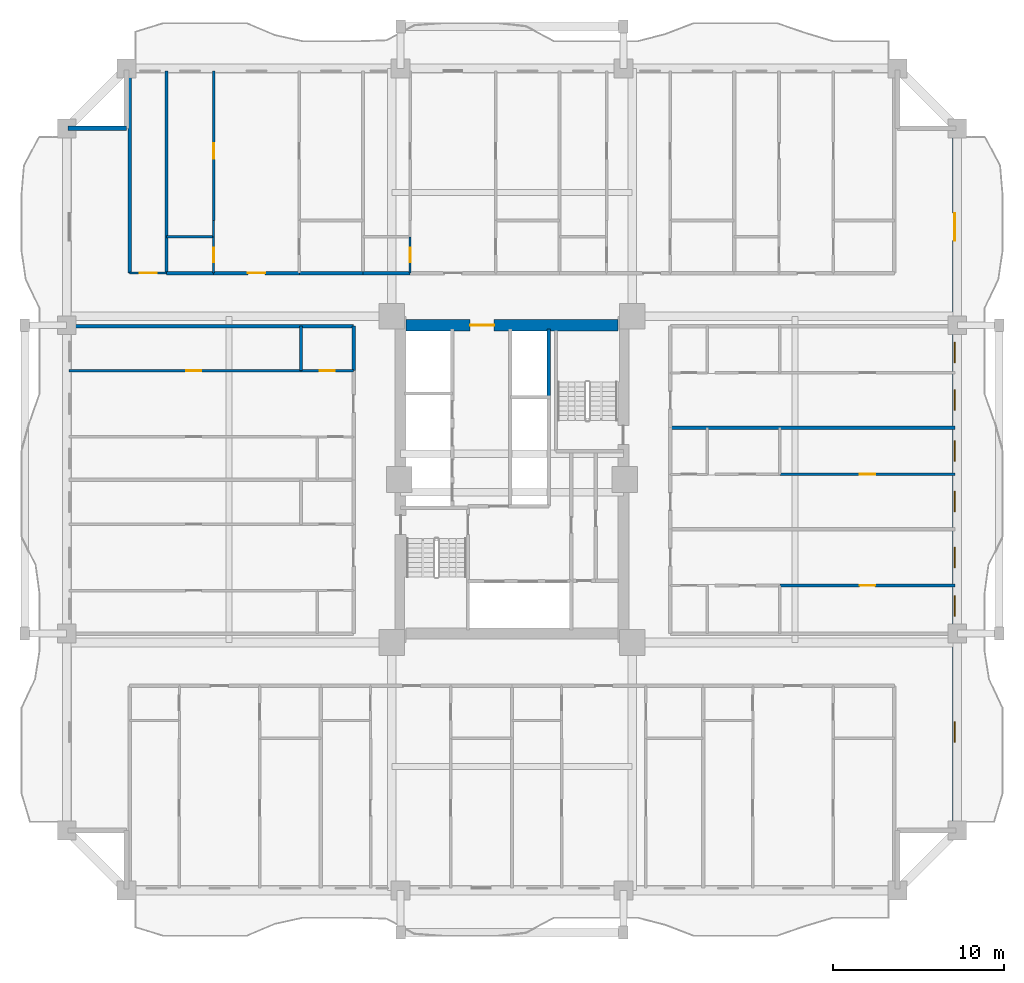
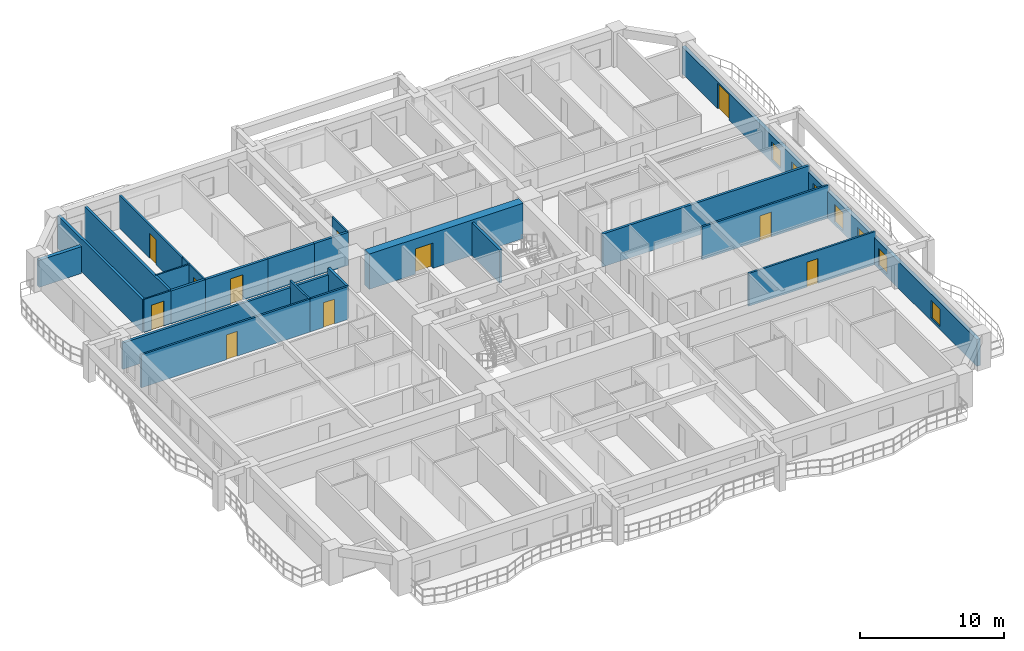
# One storey, part 6 of 18: 24 walls, 11 doors, 7 windows, 18 openings.
"""IFC4 building model written with IfcOpenShell, lengths in metres."""

import ifcopenshell
import ifcopenshell.guid

model = None  # the IFC model being written
_history = None  # IfcOwnerHistory: only IFC2X3 demands one
_inside = {}  # id of a spatial element -> (the spatial element, [elements in it])
_under = {}  # id of a project, library or spatial element -> (it, [spatial elements below it])
_declared = {}  # id of a project -> (the project, [libraries it declares])
_typed = {}  # id of a type object -> (the type object, [elements of that type])
_made_of = {}  # id of a material, layer set ... -> (it, [elements and type objects made of it])


def new_model(schema):
    """Start an empty IFC model of exactly this schema.

    Asked for "IFC4X3", IfcOpenShell would pick the latest addendum, in which some entities
    have other attributes; the version numbers below select the first issue.
    IFC2X3 requires an IfcOwnerHistory on every rooted entity: one is made here for all.
    """
    global model, _history
    if schema == "IFC4X3":
        model = ifcopenshell.file(schema_version=(4, 3, 0, 0))
    else:
        model = ifcopenshell.file(schema=schema)
    _inside.clear()
    _under.clear()
    _declared.clear()
    _typed.clear()
    _made_of.clear()
    _history = None
    if model.schema == "IFC2X3":
        org = make("IfcOrganization", Name="unknown")
        user = make(
            "IfcPersonAndOrganization",
            ThePerson=make("IfcPerson", FamilyName="unknown"),
            TheOrganization=org,
        )
        app = make(
            "IfcApplication",
            ApplicationDeveloper=org,
            Version="unknown",
            ApplicationFullName="unknown",
            ApplicationIdentifier="unknown",
        )
        _history = make(
            "IfcOwnerHistory",
            OwningUser=user,
            OwningApplication=app,
            ChangeAction="ADDED",
            CreationDate=0,
        )
    return model


def make(cls, **values):
    """One entity of the class cls with the attributes given. An attribute that is None is left unset."""
    return model.create_entity(
        cls, **{name: value for name, value in values.items() if value is not None}
    )


def rooted(cls, **values):
    """An entity with a GlobalId (a new one), such as an element, a storey or a relation."""
    return make(cls, GlobalId=ifcopenshell.guid.new(), OwnerHistory=_history, **values)


def si_unit(unit_type, name, prefix=None):
    """IfcSIUnit, for example si_unit("LENGTHUNIT", "METRE", prefix="MILLI")."""
    return make("IfcSIUnit", UnitType=unit_type, Prefix=prefix, Name=name)


def assignment(units):
    """IfcUnitAssignment: the units of a project."""
    return None if units is None else make("IfcUnitAssignment", Units=units)


def point(xyz):
    """IfcCartesianPoint."""
    return None if xyz is None else make("IfcCartesianPoint", Coordinates=xyz)


def direction(xyz):
    """IfcDirection."""
    return None if xyz is None else make("IfcDirection", DirectionRatios=xyz)


def frame(location, z_axis=None, x_axis=None):
    """IfcAxis2Placement3D, a coordinate frame: its origin and axes. An axis left out is left unset."""
    return make(
        "IfcAxis2Placement3D",
        Location=point(location),
        Axis=direction(z_axis),
        RefDirection=direction(x_axis),
    )


def frame_2d(location, x_axis=None):
    """IfcAxis2Placement2D, a coordinate frame in the plane: its origin and x axis."""
    return make(
        "IfcAxis2Placement2D", Location=point(location), RefDirection=direction(x_axis)
    )


def origin():
    """The frame at (0, 0, 0) with its axes left unset."""
    return frame((0.0, 0.0, 0.0))


def place(relative_to, where):
    """IfcLocalPlacement: puts the frame where relative to a parent placement (None: the world)."""
    return make(
        "IfcLocalPlacement", PlacementRelTo=relative_to, RelativePlacement=where
    )


def context(
    kind, dimensions, precision=None, world=None, true_north=None, identifier=None
):
    """IfcGeometricRepresentationContext, for example the 3D "Model" context."""
    return make(
        "IfcGeometricRepresentationContext",
        ContextIdentifier=identifier,
        ContextType=kind,
        CoordinateSpaceDimension=dimensions,
        Precision=precision,
        WorldCoordinateSystem=world,
        TrueNorth=true_north,
    )


def subcontext(parent, identifier, kind, view, scale=None):
    """IfcGeometricRepresentationSubContext, for example "Body" below "Model"."""
    return make(
        "IfcGeometricRepresentationSubContext",
        ContextIdentifier=identifier,
        ContextType=kind,
        ParentContext=parent,
        TargetScale=scale,
        TargetView=view,
    )


def project(units=None, contexts=None):
    """IfcProject with its units and contexts."""
    return rooted(
        "IfcProject",
        Name="project",
        RepresentationContexts=contexts,
        UnitsInContext=assignment(units),
    )


def spatial(cls, under=None, at=None, **own):
    """A site, building, storey or space (cls), placed at a placement, below another one or the project."""
    s = rooted(cls, ObjectPlacement=at, **own)
    if under is not None:
        _under.setdefault(under.id(), (under, []))[1].append(s)
    return s


def profile(cls, at=None, kind="AREA", **sizes):
    """A parametric profile (cls). Its sizes go by their IFC names, for example OverallWidth=200.0."""
    return make(cls, ProfileType=kind, Position=at, **sizes)


def rectangle(**sizes):
    """IfcRectangleProfileDef."""
    return profile("IfcRectangleProfileDef", **sizes)


def extrude(swept, where, along, depth):
    """IfcExtrudedAreaSolid: the profile swept, set in the frame where, extruded along a direction by depth."""
    return make(
        "IfcExtrudedAreaSolid",
        SweptArea=swept,
        Position=where,
        ExtrudedDirection=direction(along),
        Depth=depth,
    )


def shape(context_of_items, identifier, shape_type, items):
    """IfcShapeRepresentation: the items that make up one representation, for example the "Body"."""
    return make(
        "IfcShapeRepresentation",
        ContextOfItems=context_of_items,
        RepresentationIdentifier=identifier,
        RepresentationType=shape_type,
        Items=items,
    )


def source(mapping_origin, context_of_items, identifier, shape_type, items):
    """IfcRepresentationMap: a shape defined once, which mapped items show again and again."""
    return make(
        "IfcRepresentationMap",
        MappingOrigin=mapping_origin,
        MappedRepresentation=shape(context_of_items, identifier, shape_type, items),
    )


def transform(
    local_origin,
    x_axis=None,
    y_axis=None,
    z_axis=None,
    scale=None,
    scale2=None,
    scale3=None,
    uniform=True,
):
    """IfcCartesianTransformationOperator3D, or its non-uniform kind. x_axis, y_axis, z_axis: its Axis1, 2, 3."""
    if uniform:
        return make(
            "IfcCartesianTransformationOperator3D",
            Axis1=direction(x_axis),
            Axis2=direction(y_axis),
            LocalOrigin=point(local_origin),
            Scale=scale,
            Axis3=direction(z_axis),
        )
    return make(
        "IfcCartesianTransformationOperator3DnonUniform",
        Axis1=direction(x_axis),
        Axis2=direction(y_axis),
        LocalOrigin=point(local_origin),
        Scale=scale,
        Axis3=direction(z_axis),
        Scale2=scale2,
        Scale3=scale3,
    )


def mapped(mapping_source, mapping_target):
    """IfcMappedItem: shows the shape of a source again, moved by a transform."""
    return make(
        "IfcMappedItem", MappingSource=mapping_source, MappingTarget=mapping_target
    )


def material(Name=None, Category=None):
    """IfcMaterial."""
    return make("IfcMaterial", Name=Name, Category=Category)


def layer(
    of_material, thickness, ventilated=None, Name=None, Category=None, Priority=None
):
    """IfcMaterialLayer: one layer of a wall or slab, of a material (None: an air gap)."""
    return make(
        "IfcMaterialLayer",
        Material=of_material,
        LayerThickness=thickness,
        IsVentilated=ventilated,
        Name=Name,
        Category=Category,
        Priority=Priority,
    )


def layer_set(layers, Name=None):
    """IfcMaterialLayerSet."""
    return make("IfcMaterialLayerSet", MaterialLayers=layers, LayerSetName=Name)


def made_of(thing, what):
    """Note that an element or type object is made of a material, layer set ...; save() writes the relation."""
    if what is not None:
        _made_of.setdefault(what.id(), (what, []))[1].append(thing)
    return thing


def type_object(cls, material=None, **own):
    """A type object (cls), such as IfcWallType, which elements share."""
    return made_of(rooted(cls, **own), material)


def element(
    cls,
    number,
    at=None,
    inside=None,
    cuts=None,
    type_object=None,
    material=None,
    context=None,
    identifier="Body",
    shape_type=None,
    held_by="IfcProductDefinitionShape",
    body=None,
    shapes=None,
    **own,
):
    """One element of the class cls, such as IfcWall. Its Tag is "e" and its number.

    at: its placement. inside: the storey or other place that contains it. cuts: it is an
    opening in that element (IfcRelVoidsElement). A single representation is given by context,
    identifier, shape_type and body (its items); several are given by shapes. held_by: the class
    of the entity that holds the representations. save() writes the other relations.
    """
    e = rooted(cls, Tag="e%d" % number, ObjectPlacement=at, **own)
    if body is not None:
        shapes = [shape(context, identifier, shape_type, body)]
    if shapes is not None:
        e.Representation = make(held_by, Representations=shapes)
    if inside is not None:
        _inside.setdefault(inside.id(), (inside, []))[1].append(e)
    if cuts is not None:
        rooted(
            "IfcRelVoidsElement", RelatingBuildingElement=cuts, RelatedOpeningElement=e
        )
    if type_object is not None:
        _typed.setdefault(type_object.id(), (type_object, []))[1].append(e)
    return made_of(e, material)


def fill(opening, filler):
    """IfcRelFillsElement: the door or window that sits in an opening."""
    return rooted(
        "IfcRelFillsElement",
        RelatingOpeningElement=opening,
        RelatedBuildingElement=filler,
    )


def aggregate(whole, parts):
    """IfcRelAggregates: a whole, such as a stair, and the parts it consists of."""
    return rooted("IfcRelAggregates", RelatingObject=whole, RelatedObjects=parts)


def save(model, path):
    """Write the relations noted so far, then the file.

    IfcRelAggregates (storeys below a building ...), IfcRelContainedInSpatialStructure (elements
    in a storey), IfcRelDefinesByType, IfcRelAssociatesMaterial and IfcRelDeclares: one each for
    every whole, place, type object, material and project.
    """
    for whole, parts in _under.values():
        aggregate(whole, parts)
    for where, things in _inside.values():
        rooted(
            "IfcRelContainedInSpatialStructure",
            RelatedElements=things,
            RelatingStructure=where,
        )
    for kind, things in _typed.values():
        rooted("IfcRelDefinesByType", RelatedObjects=things, RelatingType=kind)
    for what, things in _made_of.values():
        rooted("IfcRelAssociatesMaterial", RelatedObjects=things, RelatingMaterial=what)
    for by, libraries in _declared.values():
        rooted("IfcRelDeclares", RelatingContext=by, RelatedDefinitions=libraries)
    model.write(path)


model = new_model("IFC4")

# Units and contexts
model_context = context("Model", 3, precision=1e-05, world=origin(), true_north=direction((0.0, 1.0)))
body_context = subcontext(model_context, "Body", "Model", "MODEL_VIEW")
ifc_project = project(units=[si_unit("LENGTHUNIT", "METRE"), si_unit("AREAUNIT", "SQUARE_METRE"), si_unit("VOLUMEUNIT", "CUBIC_METRE"), si_unit("PLANEANGLEUNIT", "RADIAN"), si_unit("MASSUNIT", "GRAM", prefix="KILO")], contexts=[model_context])

# Site, building, storey
site_placement = place(None, origin())
site = spatial("IfcSite", under=ifc_project, at=site_placement, CompositionType="ELEMENT")
building_placement = place(site_placement, origin())
building = spatial("IfcBuilding", under=site, at=building_placement, Name="Saelheon Loggia Tower", CompositionType="ELEMENT")
storey_placement = place(building_placement, frame((0.0, 0.0, 40.39990234375)))
storey = spatial("IfcBuildingStorey", under=building, at=storey_placement, Name="L12", CompositionType="ELEMENT", Elevation=40.39990234375)

# Wall, opening, door
ifc_material_1 = material(Name="Concrete C60/75", Category="concrete")
ifc_layer_1 = layer(ifc_material_1, 0.64990234375)
ifc_layer_set_1 = layer_set([ifc_layer_1], Name="Concrete C60/75")
wall_type_1 = type_object("IfcWallType", Name="Wall_CoreShear_650", PredefinedType="SHEAR", material=ifc_layer_set_1)
wall_1_placement = place(storey_placement, frame((31.824951171875, 36.0, 0.0), z_axis=(0.0, 0.0, 1.0), x_axis=(1.0, 0.0, 0.0)))
wall_1 = element("IfcWall", 1, at=wall_1_placement, inside=storey, type_object=wall_type_1, Name="L12 Core Shear Wall North", PredefinedType="SHEAR", context=body_context, shape_type="SweptSolid", body=[
    extrude(rectangle(XDim=12.35009765625, YDim=0.64990234375, at=frame_2d((6.175048828125, 0.0))), origin(), (0.0, 0.0, 1.0), 3.0),
])
opening_1_placement = place(wall_1_placement, frame((5.125, 0.0, 0.0), z_axis=(0.0, 0.0, 1.0), x_axis=(-1.0, 0.0, 0.0)))
opening_1 = element("IfcOpeningElement", 2, at=opening_1_placement, cuts=wall_1, Name="Opening D-FD2L", PredefinedType="OPENING", context=body_context, shape_type="SweptSolid", body=[
    extrude(rectangle(XDim=1.39990234375, YDim=2.14990234375, at=frame_2d((0.699951171875, 1.074951171875))), frame((0.0, 0.3369140625, 0.0), z_axis=(0.0, -1.0, 0.0), x_axis=(1.0, 0.0, 0.0)), (0.0, 0.0, 1.0), 0.673828125),
])
ifc_material_2 = material(Name="Galvanised Steel Glazed Lobby Fire Door", Category="steel")
door_type_1 = type_object("IfcDoorType", Name="Door_Fire_FD60_1400", OperationType="NOTDEFINED", PredefinedType="DOOR", material=ifc_material_2)
shared_shape_1 = source(origin(), body_context, "Body", "SweptSolid", [
    extrude(rectangle(XDim=1.39990234375, YDim=2.14990234375, at=frame_2d((0.699951171875, 1.074951171875))), frame((0.0, 0.02490234375, 0.0), z_axis=(0.0, -1.0, 0.0), x_axis=(1.0, 0.0, 0.0)), (0.0, 0.0, 1.0), 0.050048828125),
])
door_1_placement = place(opening_1_placement, origin())
door_1 = element("IfcDoor", 3, at=door_1_placement, inside=storey, type_object=door_type_1, Name="L12 Passenger Lift Lobby Main Door", OperationType="SINGLE_SWING_RIGHT", OverallHeight=2.14990234375, OverallWidth=1.39990234375, PredefinedType="DOOR", context=body_context, shape_type="MappedRepresentation", body=[
    mapped(shared_shape_1, transform((0.0, 0.0, 0.0), scale=1.0)),
])
fill(opening_1, door_1)

# Wall, openings, windows, door
ifc_material_3 = material(Name="Architectural Precast Concrete C40/50", Category="concrete")
ifc_layer_2 = layer(ifc_material_3, 0.280029296875)
ifc_layer_set_2 = layer_set([ifc_layer_2], Name="Architectural Precast Concrete C40/50")
wall_type_2 = type_object("IfcWallType", Name="Wall_Ext_Loggia_280", PredefinedType="SOLIDWALL", material=ifc_layer_set_2)
wall_2_placement = place(storey_placement, frame((63.860107421875, 6.5, 0.0), z_axis=(0.0, 0.0, 1.0), x_axis=(0.0, 1.0, 0.0)))
wall_2 = element("IfcWall", 4, at=wall_2_placement, inside=storey, type_object=wall_type_2, Name="L12 East Loggia Inner Wall", PredefinedType="SOLIDWALL", context=body_context, shape_type="SweptSolid", body=[
    extrude(rectangle(XDim=41.0, YDim=0.280029296875, at=frame_2d((20.5, 0.0))), origin(), (0.0, 0.0, 1.0), 2.280029296875),
])
opening_2_placement = place(wall_2_placement, frame((5.14990234375, 0.0, 0.25)))
opening_2 = element("IfcOpeningElement", 5, at=opening_2_placement, cuts=wall_2, Name="Opening WN-03", PredefinedType="OPENING", context=body_context, shape_type="SweptSolid", body=[
    extrude(rectangle(XDim=1.199951171875, YDim=1.5, at=frame_2d((0.60009765625, 0.75))), frame((0.0, 0.152099609375, 0.0), z_axis=(0.0, -1.0, 0.0), x_axis=(1.0, 0.0, 0.0)), (0.0, 0.0, 1.0), 0.303955078125),
])
opening_3_placement = place(wall_2_placement, frame((12.498779296875, 0.0, 0.25)))
opening_3 = element("IfcOpeningElement", 6, at=opening_3_placement, cuts=wall_2, Name="Opening WN-03", PredefinedType="OPENING", context=body_context, shape_type="SweptSolid", body=[
    extrude(rectangle(XDim=1.199951171875, YDim=1.5, at=frame_2d((0.60009765625, 0.75))), frame((0.0, 0.152099609375, 0.0), z_axis=(0.0, -1.0, 0.0), x_axis=(1.0, 0.0, 0.0)), (0.0, 0.0, 1.0), 0.303955078125),
])
opening_4_placement = place(wall_2_placement, frame((15.355224609375, 0.0, 0.25)))
opening_4 = element("IfcOpeningElement", 7, at=opening_4_placement, cuts=wall_2, Name="Opening WN-03", PredefinedType="OPENING", context=body_context, shape_type="SweptSolid", body=[
    extrude(rectangle(XDim=1.199951171875, YDim=1.5, at=frame_2d((0.60009765625, 0.75))), frame((0.0, 0.152099609375, 0.0), z_axis=(0.0, -1.0, 0.0), x_axis=(1.0, 0.0, 0.0)), (0.0, 0.0, 1.0), 0.303955078125),
])
opening_5_placement = place(wall_2_placement, frame((18.602294921875, 0.0, 0.25)))
opening_5 = element("IfcOpeningElement", 8, at=opening_5_placement, cuts=wall_2, Name="Opening WN-03", PredefinedType="OPENING", context=body_context, shape_type="SweptSolid", body=[
    extrude(rectangle(XDim=1.199951171875, YDim=1.5, at=frame_2d((0.60009765625, 0.75))), frame((0.0, 0.152099609375, 0.0), z_axis=(0.0, -1.0, 0.0), x_axis=(1.0, 0.0, 0.0)), (0.0, 0.0, 1.0), 0.303955078125),
])
opening_6_placement = place(wall_2_placement, frame((21.564208984375, 0.0, 0.25)))
opening_6 = element("IfcOpeningElement", 9, at=opening_6_placement, cuts=wall_2, Name="Opening WN-03", PredefinedType="OPENING", context=body_context, shape_type="SweptSolid", body=[
    extrude(rectangle(XDim=1.199951171875, YDim=1.5, at=frame_2d((0.60009765625, 0.75))), frame((0.0, 0.152099609375, 0.0), z_axis=(0.0, -1.0, 0.0), x_axis=(1.0, 0.0, 0.0)), (0.0, 0.0, 1.0), 0.303955078125),
])
opening_7_placement = place(wall_2_placement, frame((24.52587890625, 0.0, 0.25)))
opening_7 = element("IfcOpeningElement", 10, at=opening_7_placement, cuts=wall_2, Name="Opening WN-03", PredefinedType="OPENING", context=body_context, shape_type="SweptSolid", body=[
    extrude(rectangle(XDim=1.199951171875, YDim=1.5, at=frame_2d((0.60009765625, 0.75))), frame((0.0, 0.152099609375, 0.0), z_axis=(0.0, -1.0, 0.0), x_axis=(1.0, 0.0, 0.0)), (0.0, 0.0, 1.0), 0.303955078125),
])
opening_8_placement = place(wall_2_placement, frame((27.317626953125, 0.0, 0.25)))
opening_8 = element("IfcOpeningElement", 11, at=opening_8_placement, cuts=wall_2, Name="Opening WN-03", PredefinedType="OPENING", context=body_context, shape_type="SweptSolid", body=[
    extrude(rectangle(XDim=1.199951171875, YDim=1.5, at=frame_2d((0.60009765625, 0.75))), frame((0.0, 0.152099609375, 0.0), z_axis=(0.0, -1.0, 0.0), x_axis=(1.0, 0.0, 0.0)), (0.0, 0.0, 1.0), 0.303955078125),
])
opening_9_placement = place(wall_2_placement, frame((36.050048828125, 0.0, 0.0), z_axis=(0.0, 0.0, 1.0), x_axis=(-1.0, 0.0, 0.0)))
opening_9 = element("IfcOpeningElement", 12, at=opening_9_placement, cuts=wall_2, Name="Opening DLG-1", PredefinedType="OPENING", context=body_context, shape_type="SweptSolid", body=[
    extrude(rectangle(XDim=1.60009765625, YDim=2.14990234375, at=frame_2d((0.800048828125, 1.074951171875))), frame((0.0, 0.152099609375, 0.0), z_axis=(0.0, -1.0, 0.0), x_axis=(1.0, 0.0, 0.0)), (0.0, 0.0, 1.0), 0.303955078125),
])
ifc_material_4 = material(Name="Thermal-Break Aluminium and Triple Low-E Glass", Category="aluminium")
window_type = type_object("IfcWindowType", Name="Win_Bedroom_1200x1500", PartitioningType="SINGLE_PANEL", PredefinedType="WINDOW", material=ifc_material_4)
shared_shape_2 = source(origin(), body_context, "Body", "SweptSolid", [
    extrude(rectangle(XDim=1.199951171875, YDim=1.5, at=frame_2d((0.60009765625, 0.75))), frame((0.0, 0.030029296875, 0.0), z_axis=(0.0, -1.0, 0.0), x_axis=(1.0, 0.0, 0.0)), (0.0, 0.0, 1.0), 0.06005859375),
])
window_1_placement = place(opening_2_placement, origin())
window_1 = element("IfcWindow", 13, at=window_1_placement, inside=storey, type_object=window_type, Name="L12 E Dwelling Window 1", OverallHeight=1.5, OverallWidth=1.199951171875, PartitioningType="SINGLE_PANEL", PredefinedType="WINDOW", context=body_context, shape_type="MappedRepresentation", body=[
    mapped(shared_shape_2, transform((0.0, 0.0, 0.0), scale=1.0)),
])
fill(opening_2, window_1)
window_2_placement = place(opening_3_placement, origin())
window_2 = element("IfcWindow", 14, at=window_2_placement, inside=storey, type_object=window_type, Name="L12 E Dwelling Window 2", OverallHeight=1.5, OverallWidth=1.199951171875, PartitioningType="SINGLE_PANEL", PredefinedType="WINDOW", context=body_context, shape_type="MappedRepresentation", body=[
    mapped(shared_shape_2, transform((0.0, 0.0, 0.0), scale=1.0)),
])
fill(opening_3, window_2)
window_3_placement = place(opening_4_placement, origin())
window_3 = element("IfcWindow", 15, at=window_3_placement, inside=storey, type_object=window_type, Name="L12 E Dwelling Window 3", OverallHeight=1.5, OverallWidth=1.199951171875, PartitioningType="SINGLE_PANEL", PredefinedType="WINDOW", context=body_context, shape_type="MappedRepresentation", body=[
    mapped(shared_shape_2, transform((0.0, 0.0, 0.0), scale=1.0)),
])
fill(opening_4, window_3)
window_4_placement = place(opening_5_placement, origin())
window_4 = element("IfcWindow", 16, at=window_4_placement, inside=storey, type_object=window_type, Name="L12 E Dwelling Window 4", OverallHeight=1.5, OverallWidth=1.199951171875, PartitioningType="SINGLE_PANEL", PredefinedType="WINDOW", context=body_context, shape_type="MappedRepresentation", body=[
    mapped(shared_shape_2, transform((0.0, 0.0, 0.0), scale=1.0)),
])
fill(opening_5, window_4)
window_5_placement = place(opening_6_placement, origin())
window_5 = element("IfcWindow", 17, at=window_5_placement, inside=storey, type_object=window_type, Name="L12 E Dwelling Window 5", OverallHeight=1.5, OverallWidth=1.199951171875, PartitioningType="SINGLE_PANEL", PredefinedType="WINDOW", context=body_context, shape_type="MappedRepresentation", body=[
    mapped(shared_shape_2, transform((0.0, 0.0, 0.0), scale=1.0)),
])
fill(opening_6, window_5)
window_6_placement = place(opening_7_placement, origin())
window_6 = element("IfcWindow", 18, at=window_6_placement, inside=storey, type_object=window_type, Name="L12 E Dwelling Window 6", OverallHeight=1.5, OverallWidth=1.199951171875, PartitioningType="SINGLE_PANEL", PredefinedType="WINDOW", context=body_context, shape_type="MappedRepresentation", body=[
    mapped(shared_shape_2, transform((0.0, 0.0, 0.0), scale=1.0)),
])
fill(opening_7, window_6)
window_7_placement = place(opening_8_placement, origin())
window_7 = element("IfcWindow", 19, at=window_7_placement, inside=storey, type_object=window_type, Name="L12 E Dwelling Window 7", OverallHeight=1.5, OverallWidth=1.199951171875, PartitioningType="SINGLE_PANEL", PredefinedType="WINDOW", context=body_context, shape_type="MappedRepresentation", body=[
    mapped(shared_shape_2, transform((0.0, 0.0, 0.0), scale=1.0)),
])
fill(opening_8, window_7)
ifc_material_5 = material(Name="Thermal-Break Aluminium Sliding Glazed Door", Category="aluminium")
door_type_2 = type_object("IfcDoorType", Name="Door_LoggiaSlide_1600", OperationType="SLIDING_TO_LEFT", PredefinedType="DOOR", material=ifc_material_5)
shared_shape_3 = source(origin(), body_context, "Body", "SweptSolid", [
    extrude(rectangle(XDim=1.60009765625, YDim=2.14990234375, at=frame_2d((0.800048828125, 1.074951171875))), frame((0.0, 0.02490234375, 0.0), z_axis=(0.0, -1.0, 0.0), x_axis=(1.0, 0.0, 0.0)), (0.0, 0.0, 1.0), 0.050048828125),
])
door_2_placement = place(opening_9_placement, origin())
door_2 = element("IfcDoor", 20, at=door_2_placement, inside=storey, type_object=door_type_2, Name="L12 E Loggia Access Door", OperationType="SLIDING_TO_LEFT", OverallHeight=2.14990234375, OverallWidth=1.60009765625, PredefinedType="DOOR", context=body_context, shape_type="MappedRepresentation", body=[
    mapped(shared_shape_3, transform((0.0, 0.0, 0.0), scale=1.0)),
])
fill(opening_9, door_2)

# Wall
wall_3_placement = place(storey_placement, frame((12.080078125, 47.5, 0.0), z_axis=(0.0, 0.0, 1.0), x_axis=(1.0, 0.0, 0.0)))
element("IfcWall", 21, at=wall_3_placement, inside=storey, type_object=wall_type_2, Name="L12 Corner Notch Precast Wall NW2", PredefinedType="SOLIDWALL", context=body_context, shape_type="SweptSolid", body=[
    extrude(rectangle(XDim=3.419921875, YDim=0.280029296875, at=frame_2d((1.7099609375, 0.0))), origin(), (0.0, 0.0, 1.0), 2.280029296875),
])

# Wall, opening, door
ifc_material_6 = material(Name="Lightweight Autoclaved Aerated Concrete Block and Acoustic Gypsum", Category="concrete")
ifc_layer_3 = layer(ifc_material_6, 0.14990234375)
ifc_layer_set_3 = layer_set([ifc_layer_3], Name="Lightweight Autoclaved Aerated Concrete Block and Acoustic Gypsum")
wall_type_3 = type_object("IfcWallType", Name="Wall_Part_150", PredefinedType="PARTITIONING", material=ifc_layer_set_3)
wall_4_placement = place(storey_placement, frame((20.580078125, 42.1201171875, 0.0), z_axis=(0.0, 0.0, 1.0), x_axis=(0.0, 1.0, 0.0)))
wall_4 = element("IfcWall", 22, at=wall_4_placement, inside=storey, type_object=wall_type_3, Name="L12 N Partition U12", PredefinedType="PARTITIONING", context=body_context, shape_type="SweptSolid", body=[
    extrude(rectangle(XDim=8.72998046875, YDim=0.14990234375, at=frame_2d((4.364990234375, 0.0))), origin(), (0.0, 0.0, 1.0), 2.7900390625),
])
opening_10_placement = place(wall_4_placement, frame((3.60888671875, 0.0, 0.0)))
opening_10 = element("IfcOpeningElement", 23, at=opening_10_placement, cuts=wall_4, Name="Opening D-IN2", PredefinedType="OPENING", context=body_context, shape_type="SweptSolid", body=[
    extrude(rectangle(XDim=0.89990234375, YDim=2.10009765625, at=frame_2d((0.449951171875, 1.050048828125))), frame((0.0, 0.0869140625, 0.0), z_axis=(0.0, -1.0, 0.0), x_axis=(1.0, 0.0, 0.0)), (0.0, 0.0, 1.0), 0.173828125),
])
ifc_material_7 = material(Name="Engineered Oak Flush Door", Category="timber")
door_type_3 = type_object("IfcDoorType", Name="Door_Int_900", OperationType="NOTDEFINED", PredefinedType="DOOR", material=ifc_material_7)
shared_shape_4 = source(origin(), body_context, "Body", "SweptSolid", [
    extrude(rectangle(XDim=0.89990234375, YDim=2.10009765625, at=frame_2d((0.449951171875, 1.050048828125))), frame((0.0, 0.02490234375, 0.0), z_axis=(0.0, -1.0, 0.0), x_axis=(1.0, 0.0, 0.0)), (0.0, 0.0, 1.0), 0.050048828125),
])
door_3_placement = place(opening_10_placement, origin())
door_3 = element("IfcDoor", 24, at=door_3_placement, inside=storey, type_object=door_type_3, Name="Unit U05 Kitchen Door", OperationType="SINGLE_SWING_RIGHT", OverallHeight=2.10009765625, OverallWidth=0.89990234375, PredefinedType="DOOR", context=body_context, shape_type="MappedRepresentation", body=[
    mapped(shared_shape_4, transform((0.0, 0.0, 0.0), scale=1.0)),
])
fill(opening_10, door_3)

# Wall
wall_5_placement = place(storey_placement, frame((25.679931640625, 33.35009765625, 0.0), z_axis=(0.0, 0.0, 1.0), x_axis=(0.0, 1.0, 0.0)))
element("IfcWall", 25, at=wall_5_placement, inside=storey, type_object=wall_type_3, Name="L12 W Partition V18", PredefinedType="PARTITIONING", context=body_context, shape_type="SweptSolid", body=[
    extrude(rectangle(XDim=2.599853515625, YDim=0.14990234375, at=frame_2d((1.2998046875, 0.0))), origin(), (0.0, 0.0, 1.0), 2.7900390625),
])

# Wall, opening, door
wall_6_placement = place(storey_placement, frame((28.75, 33.35009765625, 0.0), z_axis=(0.0, 0.0, 1.0), x_axis=(-1.0, 0.0, 0.0)))
wall_6 = element("IfcWall", 26, at=wall_6_placement, inside=storey, type_object=wall_type_3, Name="L12 W Partition U22", PredefinedType="PARTITIONING", context=body_context, shape_type="SweptSolid", body=[
    extrude(rectangle(XDim=3.070068359375, YDim=0.14990234375, at=frame_2d((1.53515625, 0.0))), origin(), (0.0, 0.0, 1.0), 2.7900390625),
])
opening_11_placement = place(wall_6_placement, frame((1.0849609375, 0.0, 0.0)))
opening_11 = element("IfcOpeningElement", 27, at=opening_11_placement, cuts=wall_6, Name="Opening D-IN2", PredefinedType="OPENING", context=body_context, shape_type="SweptSolid", body=[
    extrude(rectangle(XDim=0.89990234375, YDim=2.10009765625, at=frame_2d((0.449951171875, 1.050048828125))), frame((0.0, 0.0869140625, 0.0), z_axis=(0.0, -1.0, 0.0), x_axis=(1.0, 0.0, 0.0)), (0.0, 0.0, 1.0), 0.173828125),
])
door_4_placement = place(opening_11_placement, origin())
door_4 = element("IfcDoor", 28, at=door_4_placement, inside=storey, type_object=door_type_3, Name="Unit U10 Dressing Closet Door", OperationType="SINGLE_SWING_RIGHT", OverallHeight=2.10009765625, OverallWidth=0.89990234375, PredefinedType="DOOR", context=body_context, shape_type="MappedRepresentation", body=[
    mapped(shared_shape_4, transform((0.0, 0.0, 0.0), scale=1.0)),
])
fill(opening_11, door_4)

wall_7_placement = place(storey_placement, frame((25.679931640625, 33.35009765625, 0.0), z_axis=(0.0, 0.0, 1.0), x_axis=(-1.0, 0.0, 0.0)))
wall_7 = element("IfcWall", 29, at=wall_7_placement, inside=storey, type_object=wall_type_3, Name="L12 W Partition U23", PredefinedType="PARTITIONING", context=body_context, shape_type="SweptSolid", body=[
    extrude(rectangle(XDim=13.530029296875, YDim=0.14990234375, at=frame_2d((6.76513671875, 0.0))), origin(), (0.0, 0.0, 1.0), 2.7900390625),
])
opening_12_placement = place(wall_7_placement, frame((5.80859375, 0.0, 0.0)))
opening_12 = element("IfcOpeningElement", 30, at=opening_12_placement, cuts=wall_7, Name="Opening D-IN2", PredefinedType="OPENING", context=body_context, shape_type="SweptSolid", body=[
    extrude(rectangle(XDim=0.89990234375, YDim=2.10009765625, at=frame_2d((0.449951171875, 1.050048828125))), frame((0.0, 0.0869140625, 0.0), z_axis=(0.0, -1.0, 0.0), x_axis=(1.0, 0.0, 0.0)), (0.0, 0.0, 1.0), 0.173828125),
])
door_5_placement = place(opening_12_placement, origin())
door_5 = element("IfcDoor", 31, at=door_5_placement, inside=storey, type_object=door_type_3, Name="Unit U10 Bedroom 1 Door", OperationType="SINGLE_SWING_LEFT", OverallHeight=2.10009765625, OverallWidth=0.89990234375, PredefinedType="DOOR", context=body_context, shape_type="MappedRepresentation", body=[
    mapped(shared_shape_4, transform((0.0, 0.0, 0.0), scale=1.0)),
])
fill(opening_12, door_5)

wall_8_placement = place(storey_placement, frame((53.639892578125, 20.807373046875, 0.0), z_axis=(0.0, 0.0, 1.0), x_axis=(1.0, 0.0, 0.0)))
wall_8 = element("IfcWall", 32, at=wall_8_placement, inside=storey, type_object=wall_type_3, Name="L12 E Partition U09", PredefinedType="PARTITIONING", context=body_context, shape_type="SweptSolid", body=[
    extrude(rectangle(XDim=10.210205078125, YDim=0.14990234375, at=frame_2d((5.10498046875, 0.0))), origin(), (0.0, 0.0, 1.0), 2.7900390625),
])
opening_13_placement = place(wall_8_placement, frame((4.655029296875, 0.0, 0.0)))
opening_13 = element("IfcOpeningElement", 33, at=opening_13_placement, cuts=wall_8, Name="Opening D-IN2", PredefinedType="OPENING", context=body_context, shape_type="SweptSolid", body=[
    extrude(rectangle(XDim=0.89990234375, YDim=2.10009765625, at=frame_2d((0.449951171875, 1.050048828125))), frame((0.0, 0.0869140625, 0.0), z_axis=(0.0, -1.0, 0.0), x_axis=(1.0, 0.0, 0.0)), (0.0, 0.0, 1.0), 0.173828125),
])
door_6_placement = place(opening_13_placement, origin())
door_6 = element("IfcDoor", 34, at=door_6_placement, inside=storey, type_object=door_type_3, Name="Unit U11 Bedroom 1 Door", OperationType="SINGLE_SWING_LEFT", OverallHeight=2.10009765625, OverallWidth=0.89990234375, PredefinedType="DOOR", context=body_context, shape_type="MappedRepresentation", body=[
    mapped(shared_shape_4, transform((0.0, 0.0, 0.0), scale=1.0)),
])
fill(opening_13, door_6)

wall_9_placement = place(storey_placement, frame((53.639892578125, 27.3017578125, 0.0), z_axis=(0.0, 0.0, 1.0), x_axis=(1.0, 0.0, 0.0)))
wall_9 = element("IfcWall", 35, at=wall_9_placement, inside=storey, type_object=wall_type_3, Name="L12 E Partition U17", PredefinedType="PARTITIONING", context=body_context, shape_type="SweptSolid", body=[
    extrude(rectangle(XDim=10.210205078125, YDim=0.14990234375, at=frame_2d((5.10498046875, 0.0))), origin(), (0.0, 0.0, 1.0), 2.7900390625),
])
opening_14_placement = place(wall_9_placement, frame((4.655029296875, 0.0, 0.0)))
opening_14 = element("IfcOpeningElement", 36, at=opening_14_placement, cuts=wall_9, Name="Opening D-IN2", PredefinedType="OPENING", context=body_context, shape_type="SweptSolid", body=[
    extrude(rectangle(XDim=0.89990234375, YDim=2.10009765625, at=frame_2d((0.449951171875, 1.050048828125))), frame((0.0, 0.0869140625, 0.0), z_axis=(0.0, -1.0, 0.0), x_axis=(1.0, 0.0, 0.0)), (0.0, 0.0, 1.0), 0.173828125),
])
door_7_placement = place(opening_14_placement, origin())
door_7 = element("IfcDoor", 37, at=door_7_placement, inside=storey, type_object=door_type_3, Name="Unit U12 Bedroom 1 Door", OperationType="SINGLE_SWING_LEFT", OverallHeight=2.10009765625, OverallWidth=0.89990234375, PredefinedType="DOOR", context=body_context, shape_type="MappedRepresentation", body=[
    mapped(shared_shape_4, transform((0.0, 0.0, 0.0), scale=1.0)),
])
fill(opening_14, door_7)

# Walls
ifc_material_8 = material(Name="Double Acoustic Stud and Fireboard Partition", Category="gypsum")
ifc_layer_4 = layer(ifc_material_8, 0.199951171875)
ifc_layer_set_4 = layer_set([ifc_layer_4], Name="Double Acoustic Stud and Fireboard Partition")
wall_type_4 = type_object("IfcWallType", Name="Wall_Party_200", PredefinedType="PARTITIONING", material=ifc_layer_set_4)
for number, where, z_axis, x_axis, name in (
    (38, (15.679931640625, 39.050048828125, 0.0), (0.0, 0.0, 1.0), (0.0, 1.0, 0.0), "L12 N Partition U01"),
    (39, (17.830078125, 39.050048828125, 0.0), (0.0, 0.0, 1.0), (0.0, 1.0, 0.0), "L12 N Partition U03"),
):
    element("IfcWall", number, at=place(storey_placement, frame(where, z_axis=z_axis, x_axis=x_axis)), inside=storey, type_object=wall_type_4, Name=name, PredefinedType="PARTITIONING", context=body_context, shape_type="SweptSolid", body=[
        extrude(rectangle(XDim=11.800048828125, YDim=0.199951171875, at=frame_2d((5.89990234375, 0.0))), origin(), (0.0, 0.0, 1.0), 2.7900390625),
    ])
wall_10_placement = place(storey_placement, frame((17.830078125, 39.050048828125, 0.0), z_axis=(0.0, 0.0, 1.0), x_axis=(1.0, 0.0, 0.0)))
element("IfcWall", 40, at=wall_10_placement, inside=storey, type_object=wall_type_4, Name="L12 N Partition V05", PredefinedType="PARTITIONING", context=body_context, shape_type="SweptSolid", body=[
    extrude(rectangle(XDim=2.75, YDim=0.199951171875, at=frame_2d((1.375, 0.0))), origin(), (0.0, 0.0, 1.0), 2.7900390625),
])

# Wall, opening, door
wall_11_placement = place(storey_placement, frame((20.580078125, 39.050048828125, 0.0), z_axis=(0.0, 0.0, 1.0), x_axis=(1.0, 0.0, 0.0)))
wall_11 = element("IfcWall", 41, at=wall_11_placement, inside=storey, type_object=wall_type_4, Name="L12 N Partition V06", PredefinedType="PARTITIONING", context=body_context, shape_type="SweptSolid", body=[
    extrude(rectangle(XDim=4.99951171875, YDim=0.199951171875, at=frame_2d((2.499755859375, 0.0))), origin(), (0.0, 0.0, 1.0), 2.7900390625),
])
opening_15_placement = place(wall_11_placement, frame((1.999755859375, 0.0, 0.0)))
opening_15 = element("IfcOpeningElement", 42, at=opening_15_placement, cuts=wall_11, Name="Opening D-FD1", PredefinedType="OPENING", context=body_context, shape_type="SweptSolid", body=[
    extrude(rectangle(XDim=1.0, YDim=2.14990234375, at=frame_2d((0.5, 1.074951171875))), frame((0.0, 0.112060546875, 0.0), z_axis=(0.0, -1.0, 0.0), x_axis=(1.0, 0.0, 0.0)), (0.0, 0.0, 1.0), 0.223876953125),
])
ifc_material_9 = material(Name="Fire-Rated Engineered Timber Entrance Door", Category="wood")
door_type_4 = type_object("IfcDoorType", Name="Door_Flat_FD30S", OperationType="NOTDEFINED", PredefinedType="DOOR", material=ifc_material_9)
shared_shape_5 = source(origin(), body_context, "Body", "SweptSolid", [
    extrude(rectangle(XDim=1.0, YDim=2.14990234375, at=frame_2d((0.5, 1.074951171875))), frame((0.0, 0.02490234375, 0.0), z_axis=(0.0, -1.0, 0.0), x_axis=(1.0, 0.0, 0.0)), (0.0, 0.0, 1.0), 0.050048828125),
])
door_8_placement = place(opening_15_placement, origin())
door_8 = element("IfcDoor", 43, at=door_8_placement, inside=storey, type_object=door_type_4, Name="Unit U05 Entrance Door", OperationType="SINGLE_SWING_RIGHT", OverallHeight=2.14990234375, OverallWidth=1.0, PredefinedType="DOOR", context=body_context, shape_type="MappedRepresentation", body=[
    mapped(shared_shape_5, transform((0.0, 0.0, 0.0), scale=1.0)),
])
fill(opening_15, door_8)

# Walls
wall_12_placement = place(storey_placement, frame((25.57958984375, 39.050048828125, 0.0), z_axis=(0.0, 0.0, 1.0), x_axis=(1.0, 0.0, 0.0)))
element("IfcWall", 44, at=wall_12_placement, inside=storey, type_object=wall_type_4, Name="L12 N Partition V07", PredefinedType="PARTITIONING", context=body_context, shape_type="SweptSolid", body=[
    extrude(rectangle(XDim=3.72265625, YDim=0.199951171875, at=frame_2d((1.861328125, 0.0))), origin(), (0.0, 0.0, 1.0), 2.7900390625),
])
wall_13_placement = place(storey_placement, frame((29.30224609375, 39.050048828125, 0.0), z_axis=(0.0, 0.0, 1.0), x_axis=(1.0, 0.0, 0.0)))
element("IfcWall", 45, at=wall_13_placement, inside=storey, type_object=wall_type_4, Name="L12 N Partition V16", PredefinedType="PARTITIONING", context=body_context, shape_type="SweptSolid", body=[
    extrude(rectangle(XDim=2.75, YDim=0.199951171875, at=frame_2d((1.375, 0.0))), origin(), (0.0, 0.0, 1.0), 2.7900390625),
])
wall_14_placement = place(storey_placement, frame((28.75, 35.949951171875, 0.0), z_axis=(0.0, 0.0, 1.0), x_axis=(-1.0, 0.0, 0.0)))
element("IfcWall", 46, at=wall_14_placement, inside=storey, type_object=wall_type_4, Name="L12 W Partition U02", PredefinedType="PARTITIONING", context=body_context, shape_type="SweptSolid", body=[
    extrude(rectangle(XDim=16.60009765625, YDim=0.199951171875, at=frame_2d((8.300048828125, 0.0))), origin(), (0.0, 0.0, 1.0), 2.239990234375),
])
wall_15_placement = place(storey_placement, frame((28.75, 33.35009765625, 0.0), z_axis=(0.0, 0.0, 1.0), x_axis=(0.0, 1.0, 0.0)))
element("IfcWall", 47, at=wall_15_placement, inside=storey, type_object=wall_type_4, Name="L12 W Partition V16", PredefinedType="PARTITIONING", context=body_context, shape_type="SweptSolid", body=[
    extrude(rectangle(XDim=2.599853515625, YDim=0.199951171875, at=frame_2d((1.2998046875, 0.0))), origin(), (0.0, 0.0, 1.0), 2.7900390625),
])
wall_16_placement = place(storey_placement, frame((47.25, 30.026611328125, 0.0), z_axis=(0.0, 0.0, 1.0), x_axis=(1.0, 0.0, 0.0)))
element("IfcWall", 48, at=wall_16_placement, inside=storey, type_object=wall_type_4, Name="L12 E Partition U18", PredefinedType="PARTITIONING", context=body_context, shape_type="SweptSolid", body=[
    extrude(rectangle(XDim=16.60009765625, YDim=0.199951171875, at=frame_2d((8.300048828125, 0.0))), origin(), (0.0, 0.0, 1.0), 2.7900390625),
])
ifc_material_10 = material(Name="Concrete C40/50", Category="concrete")
ifc_layer_5 = layer(ifc_material_10, 0.199951171875)
ifc_layer_set_5 = layer_set([ifc_layer_5], Name="Concrete C40/50")
wall_type_5 = type_object("IfcWallType", Name="Wall_Shaft_200", PredefinedType="PARTITIONING", material=ifc_layer_set_5)
wall_17_placement = place(storey_placement, frame((40.14990234375, 31.800048828125, 0.0), z_axis=(0.0, 0.0, 1.0), x_axis=(0.0, 1.0, 0.0)))
element("IfcWall", 49, at=wall_17_placement, inside=storey, type_object=wall_type_5, Name="L12 East High-Rise Hoistway East Wall", PredefinedType="PARTITIONING", context=body_context, shape_type="SweptSolid", body=[
    extrude(rectangle(XDim=3.97998046875, YDim=0.199951171875, at=frame_2d((1.989990234375, 0.0))), origin(), (0.0, 0.0, 1.0), 2.7900390625),
])

# Wall, opening, door
ifc_material_11 = material(Name="Moisture-Resistant Cement Board Partition", Category="gypsum")
ifc_layer_6 = layer(ifc_material_11, 0.1201171875)
ifc_layer_set_6 = layer_set([ifc_layer_6], Name="Moisture-Resistant Cement Board Partition")
wall_type_6 = type_object("IfcWallType", Name="Wall_WetPart_120", PredefinedType="PARTITIONING", material=ifc_layer_set_6)
wall_18_placement = place(storey_placement, frame((15.679931640625, 39.050048828125, 0.0), z_axis=(0.0, 0.0, 1.0), x_axis=(1.0, 0.0, 0.0)))
wall_18 = element("IfcWall", 50, at=wall_18_placement, inside=storey, type_object=wall_type_6, Name="L12 N Partition V04", PredefinedType="PARTITIONING", context=body_context, shape_type="SweptSolid", body=[
    extrude(rectangle(XDim=2.150146484375, YDim=0.1201171875, at=frame_2d((1.0751953125, 0.0))), origin(), (0.0, 0.0, 1.0), 2.7900390625),
])
opening_16_placement = place(wall_18_placement, frame((0.574951171875, 0.0, 0.0)))
opening_16 = element("IfcOpeningElement", 51, at=opening_16_placement, cuts=wall_18, Name="Opening D-AC1", PredefinedType="OPENING", context=body_context, shape_type="SweptSolid", body=[
    extrude(rectangle(XDim=1.0, YDim=2.10009765625, at=frame_2d((0.5, 1.050048828125))), frame((0.0, 0.072021484375, 0.0), z_axis=(0.0, -1.0, 0.0), x_axis=(1.0, 0.0, 0.0)), (0.0, 0.0, 1.0), 0.14404296875),
])
ifc_material_12 = material(Name="Accessible Laminate Flush Door", Category="timber")
door_type_5 = type_object("IfcDoorType", Name="Door_Acc_1000", OperationType="NOTDEFINED", PredefinedType="DOOR", material=ifc_material_12)
shared_shape_6 = source(origin(), body_context, "Body", "SweptSolid", [
    extrude(rectangle(XDim=1.0, YDim=2.10009765625, at=frame_2d((0.5, 1.050048828125))), frame((0.0, 0.02490234375, 0.0), z_axis=(0.0, -1.0, 0.0), x_axis=(1.0, 0.0, 0.0)), (0.0, 0.0, 1.0), 0.050048828125),
])
door_9_placement = place(opening_16_placement, origin())
door_9 = element("IfcDoor", 52, at=door_9_placement, inside=storey, type_object=door_type_5, Name="L12 Floor Accessible WC Door", OperationType="SINGLE_SWING_LEFT", OverallHeight=2.10009765625, OverallWidth=1.0, PredefinedType="DOOR", context=body_context, shape_type="MappedRepresentation", body=[
    mapped(shared_shape_6, transform((0.0, 0.0, 0.0), scale=1.0)),
])
fill(opening_16, door_9)

# Wall
wall_19_placement = place(storey_placement, frame((17.830078125, 41.169921875, 0.0), z_axis=(0.0, 0.0, 1.0), x_axis=(1.0, 0.0, 0.0)))
element("IfcWall", 53, at=wall_19_placement, inside=storey, type_object=wall_type_6, Name="L12 N Partition V08", PredefinedType="PARTITIONING", context=body_context, shape_type="SweptSolid", body=[
    extrude(rectangle(XDim=2.75, YDim=0.1201171875, at=frame_2d((1.375, 0.0))), origin(), (0.0, 0.0, 1.0), 2.7900390625),
])

# Wall, opening, door
wall_20_placement = place(storey_placement, frame((20.580078125, 39.050048828125, 0.0), z_axis=(0.0, 0.0, 1.0), x_axis=(0.0, 1.0, 0.0)))
wall_20 = element("IfcWall", 54, at=wall_20_placement, inside=storey, type_object=wall_type_6, Name="L12 N Partition U10", PredefinedType="PARTITIONING", context=body_context, shape_type="SweptSolid", body=[
    extrude(rectangle(XDim=2.119873046875, YDim=0.1201171875, at=frame_2d((1.06005859375, 0.0))), origin(), (0.0, 0.0, 1.0), 2.7900390625),
])
opening_17_placement = place(wall_20_placement, frame((0.635009765625, 0.0, 0.0)))
opening_17 = element("IfcOpeningElement", 55, at=opening_17_placement, cuts=wall_20, Name="Opening D-BT1", PredefinedType="OPENING", context=body_context, shape_type="SweptSolid", body=[
    extrude(rectangle(XDim=0.85009765625, YDim=2.050048828125, at=frame_2d((0.425048828125, 1.02490234375))), frame((0.0, 0.072021484375, 0.0), z_axis=(0.0, -1.0, 0.0), x_axis=(1.0, 0.0, 0.0)), (0.0, 0.0, 1.0), 0.14404296875),
])
ifc_material_13 = material(Name="Moisture-Resistant Laminate Timber Door", Category="wood")
door_type_6 = type_object("IfcDoorType", Name="Door_Bath_850", OperationType="NOTDEFINED", PredefinedType="DOOR", material=ifc_material_13)
shared_shape_7 = source(origin(), body_context, "Body", "SweptSolid", [
    extrude(rectangle(XDim=0.85009765625, YDim=2.050048828125, at=frame_2d((0.425048828125, 1.02490234375))), frame((0.0, 0.02490234375, 0.0), z_axis=(0.0, -1.0, 0.0), x_axis=(1.0, 0.0, 0.0)), (0.0, 0.0, 1.0), 0.050048828125),
])
door_10_placement = place(opening_17_placement, origin())
door_10 = element("IfcDoor", 56, at=door_10_placement, inside=storey, type_object=door_type_6, Name="Unit U05 Bathroom Door", OperationType="SINGLE_SWING_LEFT", OverallHeight=2.050048828125, OverallWidth=0.85009765625, PredefinedType="DOOR", context=body_context, shape_type="MappedRepresentation", body=[
    mapped(shared_shape_7, transform((0.0, 0.0, 0.0), scale=1.0)),
])
fill(opening_17, door_10)

# Wall
wall_21_placement = place(storey_placement, frame((20.580078125, 41.169921875, 0.0), z_axis=(0.0, 0.0, 1.0), x_axis=(0.0, 1.0, 0.0)))
element("IfcWall", 57, at=wall_21_placement, inside=storey, type_object=wall_type_6, Name="L12 N Partition U11", PredefinedType="PARTITIONING", context=body_context, shape_type="SweptSolid", body=[
    extrude(rectangle(XDim=0.9501953125, YDim=0.1201171875, at=frame_2d((0.47509765625, 0.0))), origin(), (0.0, 0.0, 1.0), 2.7900390625),
])

# Wall, opening, door
wall_22_placement = place(storey_placement, frame((32.05224609375, 39.050048828125, 0.0), z_axis=(0.0, 0.0, 1.0), x_axis=(0.0, 1.0, 0.0)))
wall_22 = element("IfcWall", 58, at=wall_22_placement, inside=storey, type_object=wall_type_6, Name="L12 N Partition U21", PredefinedType="PARTITIONING", context=body_context, shape_type="SweptSolid", body=[
    extrude(rectangle(XDim=2.119873046875, YDim=0.1201171875, at=frame_2d((1.06005859375, 0.0))), origin(), (0.0, 0.0, 1.0), 2.7900390625),
])
opening_18_placement = place(wall_22_placement, frame((0.635009765625, 0.0, 0.0)))
opening_18 = element("IfcOpeningElement", 59, at=opening_18_placement, cuts=wall_22, Name="Opening D-BT1", PredefinedType="OPENING", context=body_context, shape_type="SweptSolid", body=[
    extrude(rectangle(XDim=0.85009765625, YDim=2.050048828125, at=frame_2d((0.425048828125, 1.02490234375))), frame((0.0, 0.072021484375, 0.0), z_axis=(0.0, -1.0, 0.0), x_axis=(1.0, 0.0, 0.0)), (0.0, 0.0, 1.0), 0.14404296875),
])
door_11_placement = place(opening_18_placement, origin())
door_11 = element("IfcDoor", 60, at=door_11_placement, inside=storey, type_object=door_type_6, Name="Unit U06 Bathroom Door", OperationType="SINGLE_SWING_RIGHT", OverallHeight=2.050048828125, OverallWidth=0.85009765625, PredefinedType="DOOR", context=body_context, shape_type="MappedRepresentation", body=[
    mapped(shared_shape_7, transform((0.0, 0.0, 0.0), scale=1.0)),
])
fill(opening_18, door_11)

save(model, "model.ifc")
